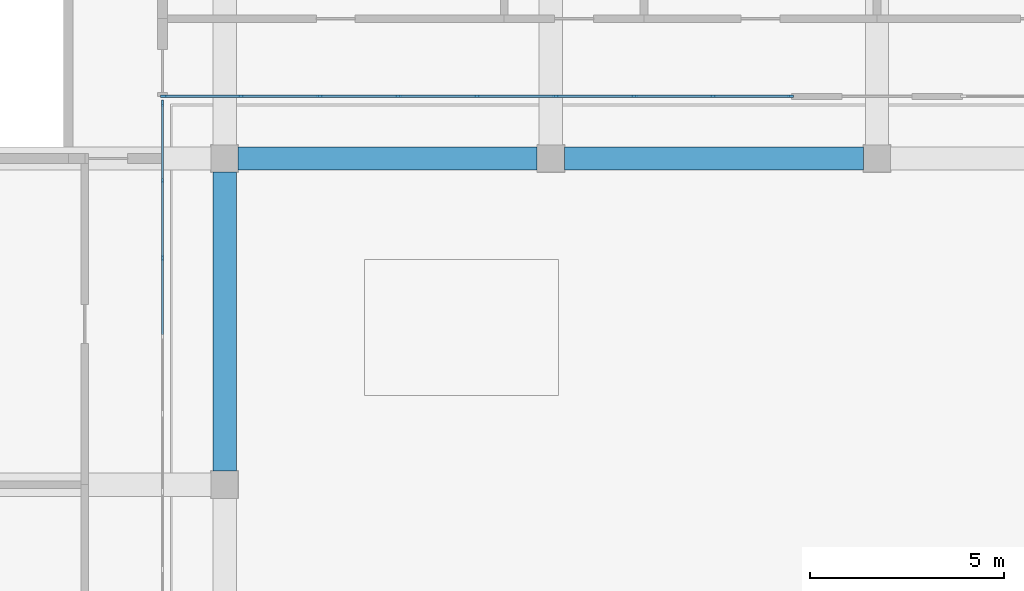
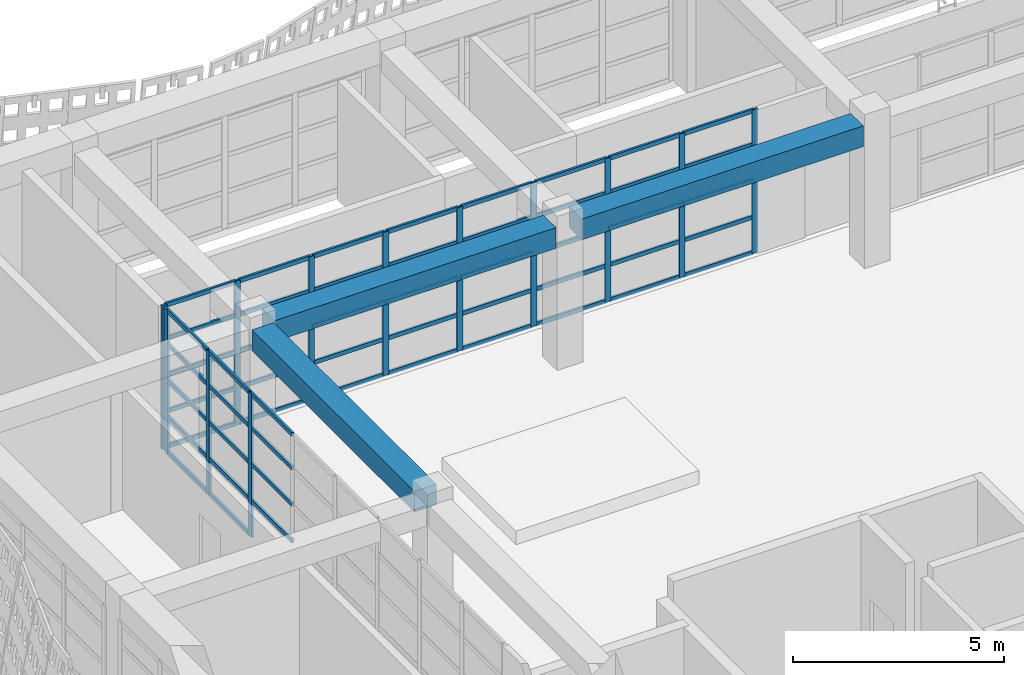
# One storey, part 10 of 85: 66 members, 3 beams, 2 elements without a shape of their own.
"""IFC4 building model written with IfcOpenShell, lengths in metres."""

from ifc_helpers import new_model, si_unit, direction, frame, origin, origin_2d, place, context, subcontext, project, spatial, rectangle, extrude, material, material_profile, profile_set, type_object, element, aggregate, save


model = new_model("IFC4")

# Units and contexts
model_context = context("Model", 3, precision=1e-05, world=origin(), true_north=direction((0.0, 1.0)))
body_context = subcontext(model_context, "Body", "Model", "MODEL_VIEW")
ifc_project = project(units=[si_unit("LENGTHUNIT", "METRE"), si_unit("AREAUNIT", "SQUARE_METRE"), si_unit("VOLUMEUNIT", "CUBIC_METRE"), si_unit("PLANEANGLEUNIT", "RADIAN"), si_unit("MASSUNIT", "GRAM", prefix="KILO")], contexts=[model_context])

# Site, building, storey
site_placement = place(None, origin())
site = spatial("IfcSite", under=ifc_project, at=site_placement, CompositionType="ELEMENT")
building_placement = place(site_placement, origin())
building = spatial("IfcBuilding", under=site, at=building_placement, Name="Rain Tree Exposition and Congress Centre", CompositionType="ELEMENT")
storey_placement = place(building_placement, frame((0.0, 0.0, 15.0)))
storey = spatial("IfcBuildingStorey", under=building, at=storey_placement, Name="L03", CompositionType="ELEMENT", Elevation=15.0)

# Beams
ifc_material_1 = material(Name="Precast concrete C50/60", Category="concrete")
ifc_material_profile_1 = material_profile(ifc_material_1, rectangle(XDim=0.60009765625, YDim=0.60009765625, at=origin_2d()), Name="RC 600x600")
ifc_profile_set_1 = profile_set([ifc_material_profile_1], Name="Precast concrete C50/60")
beam_type = type_object("IfcBeamType", Name="Precast beam 600x600", PredefinedType="BEAM", material=ifc_profile_set_1)
for number, where, z_axis, x_axis, name in (
    (1, (8.39990234375, 33.949951171875, 3.85009765625), (0.0, 1.0, 0.0), (-1.0, 0.0, 0.0), "wing/beam/L03/RF/022"),
    (2, (8.75, 42.0, 3.85009765625), (1.0, 0.0, 0.0), (0.0, 1.0, 0.0), "wing/beam/L03/RF/051"),
):
    element("IfcBeam", number, at=place(storey_placement, frame(where, z_axis=z_axis, x_axis=x_axis)), inside=storey, type_object=beam_type, Name=name, PredefinedType="BEAM", context=body_context, shape_type="SweptSolid", body=[
        extrude(rectangle(XDim=0.60009765625, YDim=0.60009765625, at=origin_2d()), origin(), (0.0, 0.0, 1.0), 7.699951171875),
    ])
beam_placement = place(storey_placement, frame((17.14990234375, 42.0, 3.85009765625), z_axis=(1.0, 0.0, 0.0), x_axis=(0.0, 1.0, 0.0)))
element("IfcBeam", 3, at=beam_placement, inside=storey, type_object=beam_type, Name="wing/beam/L03/RF/053", PredefinedType="BEAM", context=body_context, shape_type="SweptSolid", body=[
    extrude(rectangle(XDim=0.60009765625, YDim=0.60009765625, at=origin_2d()), origin(), (0.0, 0.0, 1.0), 7.7001953125),
])

# Curtain wall, members
ifc_material_2 = material(Name="Aluminium curtain wall", Category="aluminium")
curtain_wall_type = type_object("IfcCurtainWallType", Name="Wing curtain wall 1925", PredefinedType="NOTDEFINED", material=ifc_material_2)
curtain_wall_1_placement = place(storey_placement, origin())
curtain_wall_1 = element("IfcCurtainWall", 4, at=curtain_wall_1_placement, inside=storey, type_object=curtain_wall_type, Name="Curtain wall CWW503", PredefinedType="NOTDEFINED")
ifc_material_3 = material(Name="Aluminium", Category="aluminium")
ifc_material_profile_2 = material_profile(ifc_material_3, rectangle(XDim=0.06005859375, YDim=0.159912109375, at=origin_2d()), Name="Aluminium 60x160")
ifc_profile_set_2 = profile_set([ifc_material_profile_2], Name="Aluminium")
member_type_1 = type_object("IfcMemberType", Name="Wing mullion 60x160", PredefinedType="MULLION", material=ifc_profile_set_2)
member_1_placement = place(storey_placement, frame((6.830078125, 43.60009765625, 0.0), z_axis=(0.0, 0.0, 1.0), x_axis=(0.0, 1.0, 0.0)))
member_1 = element("IfcMember", 5, at=member_1_placement, type_object=member_type_1, Name="CWW503 mullion 1", PredefinedType="MULLION", context=body_context, shape_type="SweptSolid", body=[
    extrude(rectangle(XDim=0.06005859375, YDim=0.159912109375, at=origin_2d()), origin(), (0.0, 0.0, 1.0), 4.14990234375),
])
member_2_placement = place(storey_placement, frame((8.824951171875, 43.60009765625, 0.0), z_axis=(0.0, 0.0, 1.0), x_axis=(0.0, 1.0, 0.0)))
member_2 = element("IfcMember", 6, at=member_2_placement, type_object=member_type_1, Name="CWW503 mullion 2", PredefinedType="MULLION", context=body_context, shape_type="SweptSolid", body=[
    extrude(rectangle(XDim=0.06005859375, YDim=0.159912109375, at=origin_2d()), origin(), (0.0, 0.0, 1.0), 4.14990234375),
])
member_3_placement = place(storey_placement, frame((10.85009765625, 43.60009765625, 0.0), z_axis=(0.0, 0.0, 1.0), x_axis=(0.0, 1.0, 0.0)))
member_3 = element("IfcMember", 7, at=member_3_placement, type_object=member_type_1, Name="CWW503 mullion 3", PredefinedType="MULLION", context=body_context, shape_type="SweptSolid", body=[
    extrude(rectangle(XDim=0.06005859375, YDim=0.159912109375, at=origin_2d()), origin(), (0.0, 0.0, 1.0), 4.14990234375),
])
member_4_placement = place(storey_placement, frame((12.875, 43.60009765625, 0.0), z_axis=(0.0, 0.0, 1.0), x_axis=(0.0, 1.0, 0.0)))
member_4 = element("IfcMember", 8, at=member_4_placement, type_object=member_type_1, Name="CWW503 mullion 4", PredefinedType="MULLION", context=body_context, shape_type="SweptSolid", body=[
    extrude(rectangle(XDim=0.06005859375, YDim=0.159912109375, at=origin_2d()), origin(), (0.0, 0.0, 1.0), 4.14990234375),
])
member_5_placement = place(storey_placement, frame((14.89990234375, 43.60009765625, 0.0), z_axis=(0.0, 0.0, 1.0), x_axis=(0.0, 1.0, 0.0)))
member_5 = element("IfcMember", 9, at=member_5_placement, type_object=member_type_1, Name="CWW503 mullion 5", PredefinedType="MULLION", context=body_context, shape_type="SweptSolid", body=[
    extrude(rectangle(XDim=0.06005859375, YDim=0.159912109375, at=origin_2d()), origin(), (0.0, 0.0, 1.0), 4.14990234375),
])
member_6_placement = place(storey_placement, frame((16.925048828125, 43.60009765625, 0.0), z_axis=(0.0, 0.0, 1.0), x_axis=(0.0, 1.0, 0.0)))
member_6 = element("IfcMember", 10, at=member_6_placement, type_object=member_type_1, Name="CWW503 mullion 6", PredefinedType="MULLION", context=body_context, shape_type="SweptSolid", body=[
    extrude(rectangle(XDim=0.06005859375, YDim=0.159912109375, at=origin_2d()), origin(), (0.0, 0.0, 1.0), 4.14990234375),
])
member_7_placement = place(storey_placement, frame((18.949951171875, 43.60009765625, 0.0), z_axis=(0.0, 0.0, 1.0), x_axis=(0.0, 1.0, 0.0)))
member_7 = element("IfcMember", 11, at=member_7_placement, type_object=member_type_1, Name="CWW503 mullion 7", PredefinedType="MULLION", context=body_context, shape_type="SweptSolid", body=[
    extrude(rectangle(XDim=0.06005859375, YDim=0.159912109375, at=origin_2d()), origin(), (0.0, 0.0, 1.0), 4.14990234375),
])
member_8_placement = place(storey_placement, frame((20.97509765625, 43.60009765625, 0.0), z_axis=(0.0, 0.0, 1.0), x_axis=(0.0, 1.0, 0.0)))
member_8 = element("IfcMember", 12, at=member_8_placement, type_object=member_type_1, Name="CWW503 mullion 8", PredefinedType="MULLION", context=body_context, shape_type="SweptSolid", body=[
    extrude(rectangle(XDim=0.06005859375, YDim=0.159912109375, at=origin_2d()), origin(), (0.0, 0.0, 1.0), 4.14990234375),
])
member_9_placement = place(storey_placement, frame((22.969970703125, 43.60009765625, 0.0), z_axis=(0.0, 0.0, 1.0), x_axis=(0.0, 1.0, 0.0)))
member_9 = element("IfcMember", 13, at=member_9_placement, type_object=member_type_1, Name="CWW503 mullion 9", PredefinedType="MULLION", context=body_context, shape_type="SweptSolid", body=[
    extrude(rectangle(XDim=0.06005859375, YDim=0.159912109375, at=origin_2d()), origin(), (0.0, 0.0, 1.0), 4.14990234375),
])

curtain_wall_2_placement = place(storey_placement, origin())
curtain_wall_2 = element("IfcCurtainWall", 14, at=curtain_wall_2_placement, inside=storey, type_object=curtain_wall_type, Name="Curtain wall CWW506", PredefinedType="NOTDEFINED")
member_10_placement = place(storey_placement, frame((6.800048828125, 39.4375, 0.0), z_axis=(0.0, 0.0, 1.0), x_axis=(-1.0, 0.0, 0.0)))
member_10 = element("IfcMember", 15, at=member_10_placement, type_object=member_type_1, Name="CWW506 mullion 7", PredefinedType="MULLION", context=body_context, shape_type="SweptSolid", body=[
    extrude(rectangle(XDim=0.06005859375, YDim=0.159912109375, at=origin_2d()), origin(), (0.0, 0.0, 1.0), 4.14990234375),
])
member_11_placement = place(storey_placement, frame((6.800048828125, 41.44384765625, 0.0), z_axis=(0.0, 0.0, 1.0), x_axis=(-1.0, 0.0, 0.0)))
member_11 = element("IfcMember", 16, at=member_11_placement, type_object=member_type_1, Name="CWW506 mullion 8", PredefinedType="MULLION", context=body_context, shape_type="SweptSolid", body=[
    extrude(rectangle(XDim=0.06005859375, YDim=0.159912109375, at=origin_2d()), origin(), (0.0, 0.0, 1.0), 4.14990234375),
])
member_12_placement = place(storey_placement, frame((6.800048828125, 43.419921875, 0.0), z_axis=(0.0, 0.0, 1.0), x_axis=(-1.0, 0.0, 0.0)))
member_12 = element("IfcMember", 17, at=member_12_placement, type_object=member_type_1, Name="CWW506 mullion 9", PredefinedType="MULLION", context=body_context, shape_type="SweptSolid", body=[
    extrude(rectangle(XDim=0.06005859375, YDim=0.159912109375, at=origin_2d()), origin(), (0.0, 0.0, 1.0), 4.14990234375),
])

# Member
ifc_material_4 = material(Name="Aluminium", Category="aluminium")
ifc_material_profile_3 = material_profile(ifc_material_4, rectangle(XDim=0.06005859375, YDim=0.1201171875, at=origin_2d()), Name="Aluminium 60x120")
ifc_profile_set_3 = profile_set([ifc_material_profile_3], Name="Aluminium")
member_type_2 = type_object("IfcMemberType", Name="Wing transom 60x120", PredefinedType="USERDEFINED", material=ifc_profile_set_3)
member_13_placement = place(storey_placement, frame((6.860107421875, 43.60009765625, 0.030029296875), z_axis=(1.0, 0.0, 0.0), x_axis=(0.0, 1.0, 0.0)))
member_13 = element("IfcMember", 18, at=member_13_placement, type_object=member_type_2, Name="CWW503 transom 1.1", ObjectType="TRANSOM", PredefinedType="USERDEFINED", context=body_context, shape_type="SweptSolid", body=[
    extrude(rectangle(XDim=0.06005859375, YDim=0.1201171875, at=origin_2d()), origin(), (0.0, 0.0, 1.0), 1.934814453125),
])

member_14_placement = place(storey_placement, frame((6.860107421875, 43.60009765625, 1.050048828125), z_axis=(1.0, 0.0, 0.0), x_axis=(0.0, 1.0, 0.0)))
member_14 = element("IfcMember", 19, at=member_14_placement, type_object=member_type_2, Name="CWW503 transom 1.2", ObjectType="TRANSOM", PredefinedType="USERDEFINED", context=body_context, shape_type="SweptSolid", body=[
    extrude(rectangle(XDim=0.06005859375, YDim=0.1201171875, at=origin_2d()), origin(), (0.0, 0.0, 1.0), 1.934814453125),
])

member_15_placement = place(storey_placement, frame((6.860107421875, 43.60009765625, 2.10009765625), z_axis=(1.0, 0.0, 0.0), x_axis=(0.0, 1.0, 0.0)))
member_15 = element("IfcMember", 20, at=member_15_placement, type_object=member_type_2, Name="CWW503 transom 1.3", ObjectType="TRANSOM", PredefinedType="USERDEFINED", context=body_context, shape_type="SweptSolid", body=[
    extrude(rectangle(XDim=0.06005859375, YDim=0.1201171875, at=origin_2d()), origin(), (0.0, 0.0, 1.0), 1.934814453125),
])

member_16_placement = place(storey_placement, frame((6.860107421875, 43.60009765625, 3.14990234375), z_axis=(1.0, 0.0, 0.0), x_axis=(0.0, 1.0, 0.0)))
member_16 = element("IfcMember", 21, at=member_16_placement, type_object=member_type_2, Name="CWW503 transom 1.4", ObjectType="TRANSOM", PredefinedType="USERDEFINED", context=body_context, shape_type="SweptSolid", body=[
    extrude(rectangle(XDim=0.06005859375, YDim=0.1201171875, at=origin_2d()), origin(), (0.0, 0.0, 1.0), 1.934814453125),
])

member_17_placement = place(storey_placement, frame((6.860107421875, 43.60009765625, 4.1201171875), z_axis=(1.0, 0.0, 0.0), x_axis=(0.0, 1.0, 0.0)))
member_17 = element("IfcMember", 22, at=member_17_placement, type_object=member_type_2, Name="CWW503 transom 1.5", ObjectType="TRANSOM", PredefinedType="USERDEFINED", context=body_context, shape_type="SweptSolid", body=[
    extrude(rectangle(XDim=0.06005859375, YDim=0.1201171875, at=origin_2d()), origin(), (0.0, 0.0, 1.0), 1.934814453125),
])

member_18_placement = place(storey_placement, frame((8.85498046875, 43.60009765625, 0.030029296875), z_axis=(1.0, 0.0, 0.0), x_axis=(0.0, 1.0, 0.0)))
member_18 = element("IfcMember", 23, at=member_18_placement, type_object=member_type_2, Name="CWW503 transom 2.1", ObjectType="TRANSOM", PredefinedType="USERDEFINED", context=body_context, shape_type="SweptSolid", body=[
    extrude(rectangle(XDim=0.06005859375, YDim=0.1201171875, at=origin_2d()), origin(), (0.0, 0.0, 1.0), 1.965087890625),
])

member_19_placement = place(storey_placement, frame((8.85498046875, 43.60009765625, 1.050048828125), z_axis=(1.0, 0.0, 0.0), x_axis=(0.0, 1.0, 0.0)))
member_19 = element("IfcMember", 24, at=member_19_placement, type_object=member_type_2, Name="CWW503 transom 2.2", ObjectType="TRANSOM", PredefinedType="USERDEFINED", context=body_context, shape_type="SweptSolid", body=[
    extrude(rectangle(XDim=0.06005859375, YDim=0.1201171875, at=origin_2d()), origin(), (0.0, 0.0, 1.0), 1.965087890625),
])

member_20_placement = place(storey_placement, frame((8.85498046875, 43.60009765625, 2.10009765625), z_axis=(1.0, 0.0, 0.0), x_axis=(0.0, 1.0, 0.0)))
member_20 = element("IfcMember", 25, at=member_20_placement, type_object=member_type_2, Name="CWW503 transom 2.3", ObjectType="TRANSOM", PredefinedType="USERDEFINED", context=body_context, shape_type="SweptSolid", body=[
    extrude(rectangle(XDim=0.06005859375, YDim=0.1201171875, at=origin_2d()), origin(), (0.0, 0.0, 1.0), 1.965087890625),
])

member_21_placement = place(storey_placement, frame((8.85498046875, 43.60009765625, 3.14990234375), z_axis=(1.0, 0.0, 0.0), x_axis=(0.0, 1.0, 0.0)))
member_21 = element("IfcMember", 26, at=member_21_placement, type_object=member_type_2, Name="CWW503 transom 2.4", ObjectType="TRANSOM", PredefinedType="USERDEFINED", context=body_context, shape_type="SweptSolid", body=[
    extrude(rectangle(XDim=0.06005859375, YDim=0.1201171875, at=origin_2d()), origin(), (0.0, 0.0, 1.0), 1.965087890625),
])

member_22_placement = place(storey_placement, frame((8.85498046875, 43.60009765625, 4.1201171875), z_axis=(1.0, 0.0, 0.0), x_axis=(0.0, 1.0, 0.0)))
member_22 = element("IfcMember", 27, at=member_22_placement, type_object=member_type_2, Name="CWW503 transom 2.5", ObjectType="TRANSOM", PredefinedType="USERDEFINED", context=body_context, shape_type="SweptSolid", body=[
    extrude(rectangle(XDim=0.06005859375, YDim=0.1201171875, at=origin_2d()), origin(), (0.0, 0.0, 1.0), 1.965087890625),
])

member_23_placement = place(storey_placement, frame((10.8798828125, 43.60009765625, 0.030029296875), z_axis=(1.0, 0.0, 0.0), x_axis=(0.0, 1.0, 0.0)))
member_23 = element("IfcMember", 28, at=member_23_placement, type_object=member_type_2, Name="CWW503 transom 3.1", ObjectType="TRANSOM", PredefinedType="USERDEFINED", context=body_context, shape_type="SweptSolid", body=[
    extrude(rectangle(XDim=0.06005859375, YDim=0.1201171875, at=origin_2d()), origin(), (0.0, 0.0, 1.0), 1.965087890625),
])

member_24_placement = place(storey_placement, frame((10.8798828125, 43.60009765625, 1.050048828125), z_axis=(1.0, 0.0, 0.0), x_axis=(0.0, 1.0, 0.0)))
member_24 = element("IfcMember", 29, at=member_24_placement, type_object=member_type_2, Name="CWW503 transom 3.2", ObjectType="TRANSOM", PredefinedType="USERDEFINED", context=body_context, shape_type="SweptSolid", body=[
    extrude(rectangle(XDim=0.06005859375, YDim=0.1201171875, at=origin_2d()), origin(), (0.0, 0.0, 1.0), 1.965087890625),
])

member_25_placement = place(storey_placement, frame((10.8798828125, 43.60009765625, 2.10009765625), z_axis=(1.0, 0.0, 0.0), x_axis=(0.0, 1.0, 0.0)))
member_25 = element("IfcMember", 30, at=member_25_placement, type_object=member_type_2, Name="CWW503 transom 3.3", ObjectType="TRANSOM", PredefinedType="USERDEFINED", context=body_context, shape_type="SweptSolid", body=[
    extrude(rectangle(XDim=0.06005859375, YDim=0.1201171875, at=origin_2d()), origin(), (0.0, 0.0, 1.0), 1.965087890625),
])

member_26_placement = place(storey_placement, frame((10.8798828125, 43.60009765625, 3.14990234375), z_axis=(1.0, 0.0, 0.0), x_axis=(0.0, 1.0, 0.0)))
member_26 = element("IfcMember", 31, at=member_26_placement, type_object=member_type_2, Name="CWW503 transom 3.4", ObjectType="TRANSOM", PredefinedType="USERDEFINED", context=body_context, shape_type="SweptSolid", body=[
    extrude(rectangle(XDim=0.06005859375, YDim=0.1201171875, at=origin_2d()), origin(), (0.0, 0.0, 1.0), 1.965087890625),
])

member_27_placement = place(storey_placement, frame((10.8798828125, 43.60009765625, 4.1201171875), z_axis=(1.0, 0.0, 0.0), x_axis=(0.0, 1.0, 0.0)))
member_27 = element("IfcMember", 32, at=member_27_placement, type_object=member_type_2, Name="CWW503 transom 3.5", ObjectType="TRANSOM", PredefinedType="USERDEFINED", context=body_context, shape_type="SweptSolid", body=[
    extrude(rectangle(XDim=0.06005859375, YDim=0.1201171875, at=origin_2d()), origin(), (0.0, 0.0, 1.0), 1.965087890625),
])

member_28_placement = place(storey_placement, frame((12.905029296875, 43.60009765625, 0.030029296875), z_axis=(1.0, 0.0, 0.0), x_axis=(0.0, 1.0, 0.0)))
member_28 = element("IfcMember", 33, at=member_28_placement, type_object=member_type_2, Name="CWW503 transom 4.1", ObjectType="TRANSOM", PredefinedType="USERDEFINED", context=body_context, shape_type="SweptSolid", body=[
    extrude(rectangle(XDim=0.06005859375, YDim=0.1201171875, at=origin_2d()), origin(), (0.0, 0.0, 1.0), 1.965087890625),
])

member_29_placement = place(storey_placement, frame((12.905029296875, 43.60009765625, 1.050048828125), z_axis=(1.0, 0.0, 0.0), x_axis=(0.0, 1.0, 0.0)))
member_29 = element("IfcMember", 34, at=member_29_placement, type_object=member_type_2, Name="CWW503 transom 4.2", ObjectType="TRANSOM", PredefinedType="USERDEFINED", context=body_context, shape_type="SweptSolid", body=[
    extrude(rectangle(XDim=0.06005859375, YDim=0.1201171875, at=origin_2d()), origin(), (0.0, 0.0, 1.0), 1.965087890625),
])

member_30_placement = place(storey_placement, frame((12.905029296875, 43.60009765625, 2.10009765625), z_axis=(1.0, 0.0, 0.0), x_axis=(0.0, 1.0, 0.0)))
member_30 = element("IfcMember", 35, at=member_30_placement, type_object=member_type_2, Name="CWW503 transom 4.3", ObjectType="TRANSOM", PredefinedType="USERDEFINED", context=body_context, shape_type="SweptSolid", body=[
    extrude(rectangle(XDim=0.06005859375, YDim=0.1201171875, at=origin_2d()), origin(), (0.0, 0.0, 1.0), 1.965087890625),
])

member_31_placement = place(storey_placement, frame((12.905029296875, 43.60009765625, 3.14990234375), z_axis=(1.0, 0.0, 0.0), x_axis=(0.0, 1.0, 0.0)))
member_31 = element("IfcMember", 36, at=member_31_placement, type_object=member_type_2, Name="CWW503 transom 4.4", ObjectType="TRANSOM", PredefinedType="USERDEFINED", context=body_context, shape_type="SweptSolid", body=[
    extrude(rectangle(XDim=0.06005859375, YDim=0.1201171875, at=origin_2d()), origin(), (0.0, 0.0, 1.0), 1.965087890625),
])

member_32_placement = place(storey_placement, frame((12.905029296875, 43.60009765625, 4.1201171875), z_axis=(1.0, 0.0, 0.0), x_axis=(0.0, 1.0, 0.0)))
member_32 = element("IfcMember", 37, at=member_32_placement, type_object=member_type_2, Name="CWW503 transom 4.5", ObjectType="TRANSOM", PredefinedType="USERDEFINED", context=body_context, shape_type="SweptSolid", body=[
    extrude(rectangle(XDim=0.06005859375, YDim=0.1201171875, at=origin_2d()), origin(), (0.0, 0.0, 1.0), 1.965087890625),
])

member_33_placement = place(storey_placement, frame((14.929931640625, 43.60009765625, 0.030029296875), z_axis=(1.0, 0.0, 0.0), x_axis=(0.0, 1.0, 0.0)))
member_33 = element("IfcMember", 38, at=member_33_placement, type_object=member_type_2, Name="CWW503 transom 5.1", ObjectType="TRANSOM", PredefinedType="USERDEFINED", context=body_context, shape_type="SweptSolid", body=[
    extrude(rectangle(XDim=0.06005859375, YDim=0.1201171875, at=origin_2d()), origin(), (0.0, 0.0, 1.0), 1.965087890625),
])

member_34_placement = place(storey_placement, frame((14.929931640625, 43.60009765625, 1.050048828125), z_axis=(1.0, 0.0, 0.0), x_axis=(0.0, 1.0, 0.0)))
member_34 = element("IfcMember", 39, at=member_34_placement, type_object=member_type_2, Name="CWW503 transom 5.2", ObjectType="TRANSOM", PredefinedType="USERDEFINED", context=body_context, shape_type="SweptSolid", body=[
    extrude(rectangle(XDim=0.06005859375, YDim=0.1201171875, at=origin_2d()), origin(), (0.0, 0.0, 1.0), 1.965087890625),
])

member_35_placement = place(storey_placement, frame((14.929931640625, 43.60009765625, 2.10009765625), z_axis=(1.0, 0.0, 0.0), x_axis=(0.0, 1.0, 0.0)))
member_35 = element("IfcMember", 40, at=member_35_placement, type_object=member_type_2, Name="CWW503 transom 5.3", ObjectType="TRANSOM", PredefinedType="USERDEFINED", context=body_context, shape_type="SweptSolid", body=[
    extrude(rectangle(XDim=0.06005859375, YDim=0.1201171875, at=origin_2d()), origin(), (0.0, 0.0, 1.0), 1.965087890625),
])

member_36_placement = place(storey_placement, frame((14.929931640625, 43.60009765625, 3.14990234375), z_axis=(1.0, 0.0, 0.0), x_axis=(0.0, 1.0, 0.0)))
member_36 = element("IfcMember", 41, at=member_36_placement, type_object=member_type_2, Name="CWW503 transom 5.4", ObjectType="TRANSOM", PredefinedType="USERDEFINED", context=body_context, shape_type="SweptSolid", body=[
    extrude(rectangle(XDim=0.06005859375, YDim=0.1201171875, at=origin_2d()), origin(), (0.0, 0.0, 1.0), 1.965087890625),
])

member_37_placement = place(storey_placement, frame((14.929931640625, 43.60009765625, 4.1201171875), z_axis=(1.0, 0.0, 0.0), x_axis=(0.0, 1.0, 0.0)))
member_37 = element("IfcMember", 42, at=member_37_placement, type_object=member_type_2, Name="CWW503 transom 5.5", ObjectType="TRANSOM", PredefinedType="USERDEFINED", context=body_context, shape_type="SweptSolid", body=[
    extrude(rectangle(XDim=0.06005859375, YDim=0.1201171875, at=origin_2d()), origin(), (0.0, 0.0, 1.0), 1.965087890625),
])

member_38_placement = place(storey_placement, frame((16.955078125, 43.60009765625, 0.030029296875), z_axis=(1.0, 0.0, 0.0), x_axis=(0.0, 1.0, 0.0)))
member_38 = element("IfcMember", 43, at=member_38_placement, type_object=member_type_2, Name="CWW503 transom 6.1", ObjectType="TRANSOM", PredefinedType="USERDEFINED", context=body_context, shape_type="SweptSolid", body=[
    extrude(rectangle(XDim=0.06005859375, YDim=0.1201171875, at=origin_2d()), origin(), (0.0, 0.0, 1.0), 1.96484375),
])

member_39_placement = place(storey_placement, frame((16.955078125, 43.60009765625, 1.050048828125), z_axis=(1.0, 0.0, 0.0), x_axis=(0.0, 1.0, 0.0)))
member_39 = element("IfcMember", 44, at=member_39_placement, type_object=member_type_2, Name="CWW503 transom 6.2", ObjectType="TRANSOM", PredefinedType="USERDEFINED", context=body_context, shape_type="SweptSolid", body=[
    extrude(rectangle(XDim=0.06005859375, YDim=0.1201171875, at=origin_2d()), origin(), (0.0, 0.0, 1.0), 1.96484375),
])

member_40_placement = place(storey_placement, frame((16.955078125, 43.60009765625, 2.10009765625), z_axis=(1.0, 0.0, 0.0), x_axis=(0.0, 1.0, 0.0)))
member_40 = element("IfcMember", 45, at=member_40_placement, type_object=member_type_2, Name="CWW503 transom 6.3", ObjectType="TRANSOM", PredefinedType="USERDEFINED", context=body_context, shape_type="SweptSolid", body=[
    extrude(rectangle(XDim=0.06005859375, YDim=0.1201171875, at=origin_2d()), origin(), (0.0, 0.0, 1.0), 1.96484375),
])

member_41_placement = place(storey_placement, frame((16.955078125, 43.60009765625, 3.14990234375), z_axis=(1.0, 0.0, 0.0), x_axis=(0.0, 1.0, 0.0)))
member_41 = element("IfcMember", 46, at=member_41_placement, type_object=member_type_2, Name="CWW503 transom 6.4", ObjectType="TRANSOM", PredefinedType="USERDEFINED", context=body_context, shape_type="SweptSolid", body=[
    extrude(rectangle(XDim=0.06005859375, YDim=0.1201171875, at=origin_2d()), origin(), (0.0, 0.0, 1.0), 1.96484375),
])

member_42_placement = place(storey_placement, frame((16.955078125, 43.60009765625, 4.1201171875), z_axis=(1.0, 0.0, 0.0), x_axis=(0.0, 1.0, 0.0)))
member_42 = element("IfcMember", 47, at=member_42_placement, type_object=member_type_2, Name="CWW503 transom 6.5", ObjectType="TRANSOM", PredefinedType="USERDEFINED", context=body_context, shape_type="SweptSolid", body=[
    extrude(rectangle(XDim=0.06005859375, YDim=0.1201171875, at=origin_2d()), origin(), (0.0, 0.0, 1.0), 1.96484375),
])

member_43_placement = place(storey_placement, frame((18.97998046875, 43.60009765625, 0.030029296875), z_axis=(1.0, 0.0, 0.0), x_axis=(0.0, 1.0, 0.0)))
member_43 = element("IfcMember", 48, at=member_43_placement, type_object=member_type_2, Name="CWW503 transom 7.1", ObjectType="TRANSOM", PredefinedType="USERDEFINED", context=body_context, shape_type="SweptSolid", body=[
    extrude(rectangle(XDim=0.06005859375, YDim=0.1201171875, at=origin_2d()), origin(), (0.0, 0.0, 1.0), 1.965087890625),
])

member_44_placement = place(storey_placement, frame((18.97998046875, 43.60009765625, 1.050048828125), z_axis=(1.0, 0.0, 0.0), x_axis=(0.0, 1.0, 0.0)))
member_44 = element("IfcMember", 49, at=member_44_placement, type_object=member_type_2, Name="CWW503 transom 7.2", ObjectType="TRANSOM", PredefinedType="USERDEFINED", context=body_context, shape_type="SweptSolid", body=[
    extrude(rectangle(XDim=0.06005859375, YDim=0.1201171875, at=origin_2d()), origin(), (0.0, 0.0, 1.0), 1.965087890625),
])

member_45_placement = place(storey_placement, frame((18.97998046875, 43.60009765625, 2.10009765625), z_axis=(1.0, 0.0, 0.0), x_axis=(0.0, 1.0, 0.0)))
member_45 = element("IfcMember", 50, at=member_45_placement, type_object=member_type_2, Name="CWW503 transom 7.3", ObjectType="TRANSOM", PredefinedType="USERDEFINED", context=body_context, shape_type="SweptSolid", body=[
    extrude(rectangle(XDim=0.06005859375, YDim=0.1201171875, at=origin_2d()), origin(), (0.0, 0.0, 1.0), 1.965087890625),
])

member_46_placement = place(storey_placement, frame((18.97998046875, 43.60009765625, 3.14990234375), z_axis=(1.0, 0.0, 0.0), x_axis=(0.0, 1.0, 0.0)))
member_46 = element("IfcMember", 51, at=member_46_placement, type_object=member_type_2, Name="CWW503 transom 7.4", ObjectType="TRANSOM", PredefinedType="USERDEFINED", context=body_context, shape_type="SweptSolid", body=[
    extrude(rectangle(XDim=0.06005859375, YDim=0.1201171875, at=origin_2d()), origin(), (0.0, 0.0, 1.0), 1.965087890625),
])

member_47_placement = place(storey_placement, frame((18.97998046875, 43.60009765625, 4.1201171875), z_axis=(1.0, 0.0, 0.0), x_axis=(0.0, 1.0, 0.0)))
member_47 = element("IfcMember", 52, at=member_47_placement, type_object=member_type_2, Name="CWW503 transom 7.5", ObjectType="TRANSOM", PredefinedType="USERDEFINED", context=body_context, shape_type="SweptSolid", body=[
    extrude(rectangle(XDim=0.06005859375, YDim=0.1201171875, at=origin_2d()), origin(), (0.0, 0.0, 1.0), 1.965087890625),
])

member_48_placement = place(storey_placement, frame((21.0048828125, 43.60009765625, 0.030029296875), z_axis=(1.0, 0.0, 0.0), x_axis=(0.0, 1.0, 0.0)))
member_48 = element("IfcMember", 53, at=member_48_placement, type_object=member_type_2, Name="CWW503 transom 8.1", ObjectType="TRANSOM", PredefinedType="USERDEFINED", context=body_context, shape_type="SweptSolid", body=[
    extrude(rectangle(XDim=0.06005859375, YDim=0.1201171875, at=origin_2d()), origin(), (0.0, 0.0, 1.0), 1.93505859375),
])

member_49_placement = place(storey_placement, frame((21.0048828125, 43.60009765625, 1.050048828125), z_axis=(1.0, 0.0, 0.0), x_axis=(0.0, 1.0, 0.0)))
member_49 = element("IfcMember", 54, at=member_49_placement, type_object=member_type_2, Name="CWW503 transom 8.2", ObjectType="TRANSOM", PredefinedType="USERDEFINED", context=body_context, shape_type="SweptSolid", body=[
    extrude(rectangle(XDim=0.06005859375, YDim=0.1201171875, at=origin_2d()), origin(), (0.0, 0.0, 1.0), 1.93505859375),
])

member_50_placement = place(storey_placement, frame((21.0048828125, 43.60009765625, 2.10009765625), z_axis=(1.0, 0.0, 0.0), x_axis=(0.0, 1.0, 0.0)))
member_50 = element("IfcMember", 55, at=member_50_placement, type_object=member_type_2, Name="CWW503 transom 8.3", ObjectType="TRANSOM", PredefinedType="USERDEFINED", context=body_context, shape_type="SweptSolid", body=[
    extrude(rectangle(XDim=0.06005859375, YDim=0.1201171875, at=origin_2d()), origin(), (0.0, 0.0, 1.0), 1.93505859375),
])

member_51_placement = place(storey_placement, frame((21.0048828125, 43.60009765625, 3.14990234375), z_axis=(1.0, 0.0, 0.0), x_axis=(0.0, 1.0, 0.0)))
member_51 = element("IfcMember", 56, at=member_51_placement, type_object=member_type_2, Name="CWW503 transom 8.4", ObjectType="TRANSOM", PredefinedType="USERDEFINED", context=body_context, shape_type="SweptSolid", body=[
    extrude(rectangle(XDim=0.06005859375, YDim=0.1201171875, at=origin_2d()), origin(), (0.0, 0.0, 1.0), 1.93505859375),
])

member_52_placement = place(storey_placement, frame((21.0048828125, 43.60009765625, 4.1201171875), z_axis=(1.0, 0.0, 0.0), x_axis=(0.0, 1.0, 0.0)))
member_52 = element("IfcMember", 57, at=member_52_placement, type_object=member_type_2, Name="CWW503 transom 8.5", ObjectType="TRANSOM", PredefinedType="USERDEFINED", context=body_context, shape_type="SweptSolid", body=[
    extrude(rectangle(XDim=0.06005859375, YDim=0.1201171875, at=origin_2d()), origin(), (0.0, 0.0, 1.0), 1.93505859375),
])

aggregate(curtain_wall_1, [member_1, member_2, member_3, member_4, member_5, member_6, member_7, member_8, member_9, member_13, member_14, member_15, member_16, member_17, member_18, member_19, member_20, member_21, member_22, member_23, member_24, member_25, member_26, member_27, member_28, member_29, member_30, member_31, member_32, member_33, member_34, member_35, member_36, member_37, member_38, member_39, member_40, member_41, member_42, member_43, member_44, member_45, member_46, member_47, member_48, member_49, member_50, member_51, member_52])

member_53_placement = place(storey_placement, frame((6.800048828125, 37.461181640625, 1.050048828125), z_axis=(0.0, 1.0, 0.0), x_axis=(-1.0, 0.0, 0.0)))
member_53 = element("IfcMember", 58, at=member_53_placement, type_object=member_type_2, Name="CWW506 transom 6.2", ObjectType="TRANSOM", PredefinedType="USERDEFINED", context=body_context, shape_type="SweptSolid", body=[
    extrude(rectangle(XDim=0.06005859375, YDim=0.1201171875, at=origin_2d()), origin(), (0.0, 0.0, 1.0), 1.9462890625),
])

member_54_placement = place(storey_placement, frame((6.800048828125, 37.461181640625, 2.10009765625), z_axis=(0.0, 1.0, 0.0), x_axis=(-1.0, 0.0, 0.0)))
member_54 = element("IfcMember", 59, at=member_54_placement, type_object=member_type_2, Name="CWW506 transom 6.3", ObjectType="TRANSOM", PredefinedType="USERDEFINED", context=body_context, shape_type="SweptSolid", body=[
    extrude(rectangle(XDim=0.06005859375, YDim=0.1201171875, at=origin_2d()), origin(), (0.0, 0.0, 1.0), 1.9462890625),
])

member_55_placement = place(storey_placement, frame((6.800048828125, 37.461181640625, 3.14990234375), z_axis=(0.0, 1.0, 0.0), x_axis=(-1.0, 0.0, 0.0)))
member_55 = element("IfcMember", 60, at=member_55_placement, type_object=member_type_2, Name="CWW506 transom 6.4", ObjectType="TRANSOM", PredefinedType="USERDEFINED", context=body_context, shape_type="SweptSolid", body=[
    extrude(rectangle(XDim=0.06005859375, YDim=0.1201171875, at=origin_2d()), origin(), (0.0, 0.0, 1.0), 1.9462890625),
])

member_56_placement = place(storey_placement, frame((6.800048828125, 37.461181640625, 4.1201171875), z_axis=(0.0, 1.0, 0.0), x_axis=(-1.0, 0.0, 0.0)))
member_56 = element("IfcMember", 61, at=member_56_placement, type_object=member_type_2, Name="CWW506 transom 6.5", ObjectType="TRANSOM", PredefinedType="USERDEFINED", context=body_context, shape_type="SweptSolid", body=[
    extrude(rectangle(XDim=0.06005859375, YDim=0.1201171875, at=origin_2d()), origin(), (0.0, 0.0, 1.0), 1.9462890625),
])

member_57_placement = place(storey_placement, frame((6.800048828125, 39.467529296875, 0.030029296875), z_axis=(0.0, 1.0, 0.0), x_axis=(-1.0, 0.0, 0.0)))
member_57 = element("IfcMember", 62, at=member_57_placement, type_object=member_type_2, Name="CWW506 transom 7.1", ObjectType="TRANSOM", PredefinedType="USERDEFINED", context=body_context, shape_type="SweptSolid", body=[
    extrude(rectangle(XDim=0.06005859375, YDim=0.1201171875, at=origin_2d()), origin(), (0.0, 0.0, 1.0), 1.9462890625),
])

member_58_placement = place(storey_placement, frame((6.800048828125, 39.467529296875, 1.050048828125), z_axis=(0.0, 1.0, 0.0), x_axis=(-1.0, 0.0, 0.0)))
member_58 = element("IfcMember", 63, at=member_58_placement, type_object=member_type_2, Name="CWW506 transom 7.2", ObjectType="TRANSOM", PredefinedType="USERDEFINED", context=body_context, shape_type="SweptSolid", body=[
    extrude(rectangle(XDim=0.06005859375, YDim=0.1201171875, at=origin_2d()), origin(), (0.0, 0.0, 1.0), 1.9462890625),
])

member_59_placement = place(storey_placement, frame((6.800048828125, 39.467529296875, 2.10009765625), z_axis=(0.0, 1.0, 0.0), x_axis=(-1.0, 0.0, 0.0)))
member_59 = element("IfcMember", 64, at=member_59_placement, type_object=member_type_2, Name="CWW506 transom 7.3", ObjectType="TRANSOM", PredefinedType="USERDEFINED", context=body_context, shape_type="SweptSolid", body=[
    extrude(rectangle(XDim=0.06005859375, YDim=0.1201171875, at=origin_2d()), origin(), (0.0, 0.0, 1.0), 1.9462890625),
])

member_60_placement = place(storey_placement, frame((6.800048828125, 39.467529296875, 3.14990234375), z_axis=(0.0, 1.0, 0.0), x_axis=(-1.0, 0.0, 0.0)))
member_60 = element("IfcMember", 65, at=member_60_placement, type_object=member_type_2, Name="CWW506 transom 7.4", ObjectType="TRANSOM", PredefinedType="USERDEFINED", context=body_context, shape_type="SweptSolid", body=[
    extrude(rectangle(XDim=0.06005859375, YDim=0.1201171875, at=origin_2d()), origin(), (0.0, 0.0, 1.0), 1.9462890625),
])

member_61_placement = place(storey_placement, frame((6.800048828125, 39.467529296875, 4.1201171875), z_axis=(0.0, 1.0, 0.0), x_axis=(-1.0, 0.0, 0.0)))
member_61 = element("IfcMember", 66, at=member_61_placement, type_object=member_type_2, Name="CWW506 transom 7.5", ObjectType="TRANSOM", PredefinedType="USERDEFINED", context=body_context, shape_type="SweptSolid", body=[
    extrude(rectangle(XDim=0.06005859375, YDim=0.1201171875, at=origin_2d()), origin(), (0.0, 0.0, 1.0), 1.9462890625),
])

member_62_placement = place(storey_placement, frame((6.800048828125, 41.4736328125, 0.030029296875), z_axis=(0.0, 1.0, 0.0), x_axis=(-1.0, 0.0, 0.0)))
member_62 = element("IfcMember", 67, at=member_62_placement, type_object=member_type_2, Name="CWW506 transom 8.1", ObjectType="TRANSOM", PredefinedType="USERDEFINED", context=body_context, shape_type="SweptSolid", body=[
    extrude(rectangle(XDim=0.06005859375, YDim=0.1201171875, at=origin_2d()), origin(), (0.0, 0.0, 1.0), 1.916259765625),
])

member_63_placement = place(storey_placement, frame((6.800048828125, 41.4736328125, 1.050048828125), z_axis=(0.0, 1.0, 0.0), x_axis=(-1.0, 0.0, 0.0)))
member_63 = element("IfcMember", 68, at=member_63_placement, type_object=member_type_2, Name="CWW506 transom 8.2", ObjectType="TRANSOM", PredefinedType="USERDEFINED", context=body_context, shape_type="SweptSolid", body=[
    extrude(rectangle(XDim=0.06005859375, YDim=0.1201171875, at=origin_2d()), origin(), (0.0, 0.0, 1.0), 1.916259765625),
])

member_64_placement = place(storey_placement, frame((6.800048828125, 41.4736328125, 2.10009765625), z_axis=(0.0, 1.0, 0.0), x_axis=(-1.0, 0.0, 0.0)))
member_64 = element("IfcMember", 69, at=member_64_placement, type_object=member_type_2, Name="CWW506 transom 8.3", ObjectType="TRANSOM", PredefinedType="USERDEFINED", context=body_context, shape_type="SweptSolid", body=[
    extrude(rectangle(XDim=0.06005859375, YDim=0.1201171875, at=origin_2d()), origin(), (0.0, 0.0, 1.0), 1.916259765625),
])

member_65_placement = place(storey_placement, frame((6.800048828125, 41.4736328125, 3.14990234375), z_axis=(0.0, 1.0, 0.0), x_axis=(-1.0, 0.0, 0.0)))
member_65 = element("IfcMember", 70, at=member_65_placement, type_object=member_type_2, Name="CWW506 transom 8.4", ObjectType="TRANSOM", PredefinedType="USERDEFINED", context=body_context, shape_type="SweptSolid", body=[
    extrude(rectangle(XDim=0.06005859375, YDim=0.1201171875, at=origin_2d()), origin(), (0.0, 0.0, 1.0), 1.916259765625),
])

member_66_placement = place(storey_placement, frame((6.800048828125, 41.4736328125, 4.1201171875), z_axis=(0.0, 1.0, 0.0), x_axis=(-1.0, 0.0, 0.0)))
member_66 = element("IfcMember", 71, at=member_66_placement, type_object=member_type_2, Name="CWW506 transom 8.5", ObjectType="TRANSOM", PredefinedType="USERDEFINED", context=body_context, shape_type="SweptSolid", body=[
    extrude(rectangle(XDim=0.06005859375, YDim=0.1201171875, at=origin_2d()), origin(), (0.0, 0.0, 1.0), 1.916259765625),
])

aggregate(curtain_wall_2, [member_10, member_11, member_12, member_53, member_54, member_55, member_56, member_57, member_58, member_59, member_60, member_61, member_62, member_63, member_64, member_65, member_66])

save(model, "model.ifc")
